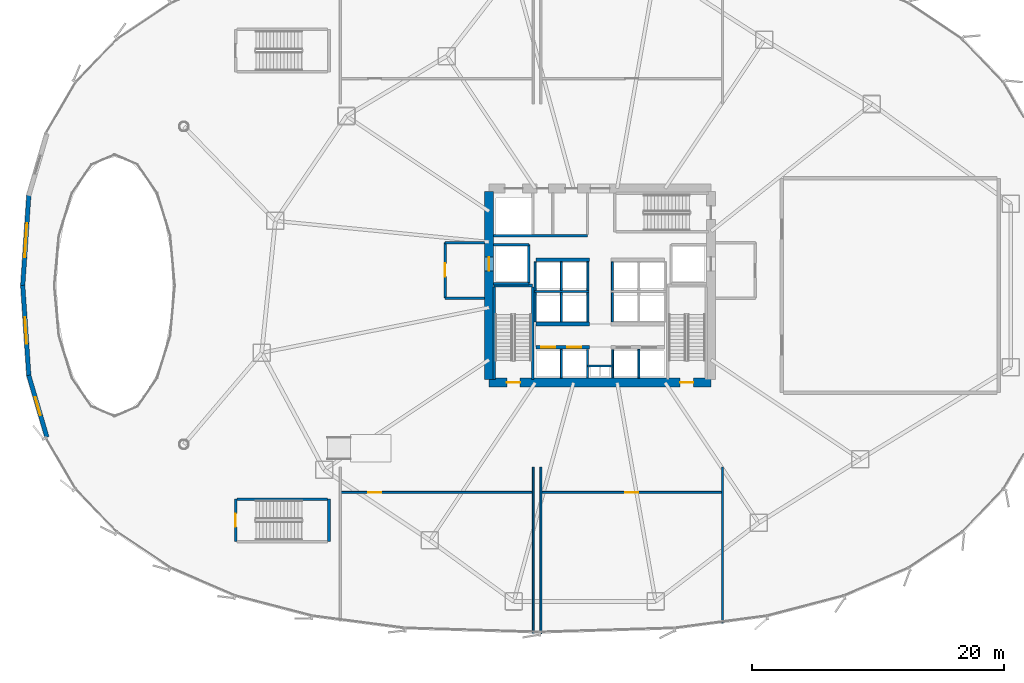
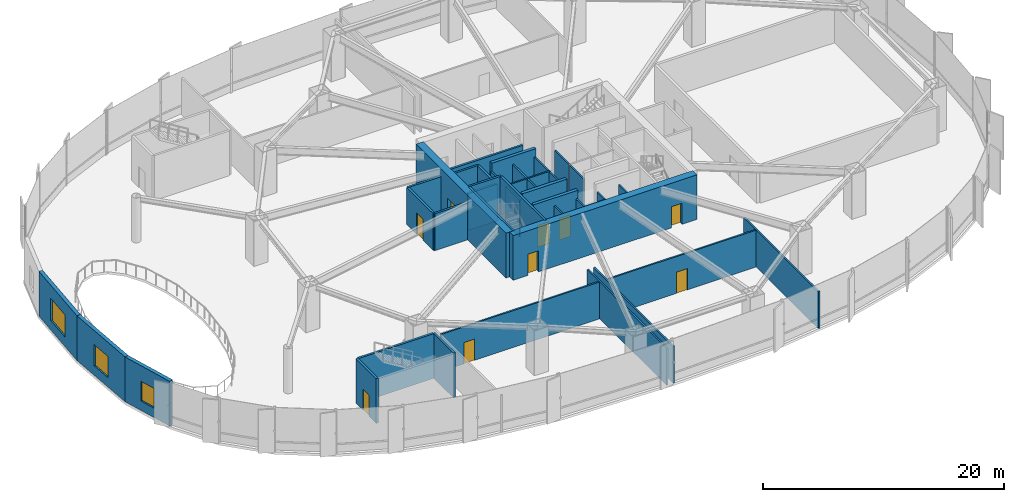
# One storey, part 23 of 33: 40 walls, 9 doors, 3 windows, 12 openings.
"""IFC4 building model written with IfcOpenShell, lengths in metres."""

from ifc_helpers import new_model, si_unit, direction, frame, frame_2d, origin, place, context, subcontext, project, spatial, rectangle, extrude, source, transform, mapped, material, layer, layer_set, type_object, element, fill, save


model = new_model("IFC4")

# Units and contexts
model_context = context("Model", 3, precision=1e-05, world=origin(), true_north=direction((0.0, 1.0)))
body_context = subcontext(model_context, "Body", "Model", "MODEL_VIEW")
ifc_project = project(units=[si_unit("LENGTHUNIT", "METRE"), si_unit("AREAUNIT", "SQUARE_METRE"), si_unit("VOLUMEUNIT", "CUBIC_METRE"), si_unit("PLANEANGLEUNIT", "RADIAN"), si_unit("MASSUNIT", "GRAM", prefix="KILO"), si_unit("THERMODYNAMICTEMPERATUREUNIT", "KELVIN")], contexts=[model_context])

# Site, building, storey
site_placement = place(None, origin())
site = spatial("IfcSite", under=ifc_project, at=site_placement, CompositionType="ELEMENT")
building_placement = place(site_placement, origin())
building = spatial("IfcBuilding", under=site, at=building_placement, Name="Kethvar Cultural Tower", CompositionType="ELEMENT")
storey_placement = place(building_placement, frame((0.0, 0.0, 10.0)))
storey = spatial("IfcBuildingStorey", under=building, at=storey_placement, Name="L02", CompositionType="ELEMENT", Elevation=10.0)

# Wall, openings, doors
ifc_material_1 = material(Name="Concrete C60/75", Category="concrete")
ifc_layer_1 = layer(ifc_material_1, 0.699951171875, Name="Concrete C60/75", Category="concrete")
ifc_layer_set_1 = layer_set([ifc_layer_1], Name="Concrete C60/75 (700 mm)")
wall_type_1 = type_object("IfcWallType", Name="WL-CORE-700", PredefinedType="SHEAR", material=ifc_layer_set_1)
wall_1_placement = place(storey_placement, frame((38.0, 20.10009765625, 0.0), z_axis=(0.0, 0.0, 1.0), x_axis=(1.0, 0.0, 0.0)))
wall_1 = element("IfcWall", 1, at=wall_1_placement, inside=storey, type_object=wall_type_1, Name="L02 Core Shear Wall S", PredefinedType="SHEAR", context=body_context, shape_type="SweptSolid", body=[
    extrude(rectangle(XDim=17.60009765625, YDim=0.699951171875, at=frame_2d((8.800048828125, 0.0))), origin(), (0.0, 0.0, 1.0), 4.530029296875),
])
opening_1_placement = place(wall_1_placement, frame((1.39990234375, 0.0, 0.0)))
opening_1 = element("IfcOpeningElement", 2, at=opening_1_placement, cuts=wall_1, Name="Opening D-L02-S1", PredefinedType="OPENING", context=body_context, shape_type="SweptSolid", body=[
    extrude(rectangle(XDim=1.050048828125, YDim=2.14990234375, at=frame_2d((0.52490234375, 1.074951171875))), frame((0.0, 0.35986328125, 0.0), z_axis=(0.0, -1.0, 0.0), x_axis=(1.0, 0.0, 0.0)), (0.0, 0.0, 1.0), 0.719970703125),
])
opening_2_placement = place(wall_1_placement, frame((15.14990234375, 0.0, 0.0)))
opening_2 = element("IfcOpeningElement", 3, at=opening_2_placement, cuts=wall_1, Name="Opening D-L02-ST2", PredefinedType="OPENING", context=body_context, shape_type="SweptSolid", body=[
    extrude(rectangle(XDim=1.050048828125, YDim=2.14990234375, at=frame_2d((0.52490234375, 1.074951171875))), frame((0.0, 0.35986328125, 0.0), z_axis=(0.0, -1.0, 0.0), x_axis=(1.0, 0.0, 0.0)), (0.0, 0.0, 1.0), 0.719970703125),
])
ifc_material_2 = material(Name="Steel S355J2", Category="steel")
door_type_1 = type_object("IfcDoorType", Name="DR-FD60-1050", OperationType="NOTDEFINED", PredefinedType="DOOR", material=ifc_material_2)
shared_shape_1 = source(origin(), body_context, "Body", "SweptSolid", [
    extrude(rectangle(XDim=1.050048828125, YDim=2.14990234375, at=frame_2d((0.52490234375, 1.074951171875))), frame((0.0, 0.02490234375, 0.0), z_axis=(0.0, -1.0, 0.0), x_axis=(1.0, 0.0, 0.0)), (0.0, 0.0, 1.0), 0.050048828125),
])
door_1_placement = place(opening_1_placement, origin())
door_1 = element("IfcDoor", 4, at=door_1_placement, inside=storey, type_object=door_type_1, Name="L02 Exit Stair 1 Door", OperationType="SINGLE_SWING_LEFT", OverallHeight=2.14990234375, OverallWidth=1.050048828125, PredefinedType="DOOR", context=body_context, shape_type="MappedRepresentation", body=[
    mapped(shared_shape_1, transform((0.0, 0.0, 0.0), scale=1.0)),
])
fill(opening_1, door_1)
door_2_placement = place(opening_2_placement, origin())
door_2 = element("IfcDoor", 5, at=door_2_placement, inside=storey, type_object=door_type_1, Name="L02 Exit Stair 2 Door", OperationType="SINGLE_SWING_RIGHT", OverallHeight=2.14990234375, OverallWidth=1.050048828125, PredefinedType="DOOR", context=body_context, shape_type="MappedRepresentation", body=[
    mapped(shared_shape_1, transform((0.0, 0.0, 0.0), scale=1.0)),
])
fill(opening_2, door_2)

# Wall, opening, door
wall_2_placement = place(storey_placement, frame((38.0, 35.260009765625, 0.0), z_axis=(0.0, 0.0, 1.0), x_axis=(0.0, -1.0, 0.0)))
wall_2 = element("IfcWall", 6, at=wall_2_placement, inside=storey, type_object=wall_type_1, Name="L02 Core Shear Wall W", PredefinedType="SHEAR", context=body_context, shape_type="SweptSolid", body=[
    extrude(rectangle(XDim=14.919921875, YDim=0.699951171875, at=frame_2d((7.4599609375, 0.0))), origin(), (0.0, 0.0, 1.0), 4.530029296875),
])
opening_3_placement = place(wall_2_placement, frame((5.2099609375, 0.0, 0.0)))
opening_3 = element("IfcOpeningElement", 7, at=opening_3_placement, cuts=wall_2, Name="Opening LD-1", PredefinedType="OPENING", context=body_context, shape_type="SweptSolid", body=[
    extrude(rectangle(XDim=1.10009765625, YDim=2.199951171875, at=frame_2d((0.550048828125, 1.10009765625))), frame((0.0, 0.35986328125, 0.0), z_axis=(0.0, -1.0, 0.0), x_axis=(1.0, 0.0, 0.0)), (0.0, 0.0, 1.0), 0.719970703125),
])
door_type_2 = type_object("IfcDoorType", Name="DR-LIFT-SLIDE-1100", OperationType="NOTDEFINED", PredefinedType="DOOR", material=ifc_material_2)
shared_shape_2 = source(origin(), body_context, "Body", "SweptSolid", [
    extrude(rectangle(XDim=1.10009765625, YDim=2.199951171875, at=frame_2d((0.550048828125, 1.10009765625))), frame((0.0, 0.02490234375, 0.0), z_axis=(0.0, -1.0, 0.0), x_axis=(1.0, 0.0, 0.0)), (0.0, 0.0, 1.0), 0.050048828125),
])
door_3_placement = place(opening_3_placement, origin())
door_3 = element("IfcDoor", 8, at=door_3_placement, inside=storey, type_object=door_type_2, Name="L02 Firefighting Lift Landing Door FFL-01", OperationType="SLIDING_TO_LEFT", OverallHeight=2.199951171875, OverallWidth=1.10009765625, PredefinedType="DOOR", context=body_context, shape_type="MappedRepresentation", body=[
    mapped(shared_shape_2, transform((0.0, 0.0, 0.0), scale=1.0)),
])
fill(opening_3, door_3)

# Wall, opening, window
ifc_material_3 = material(Name="Concrete C40/50", Category="concrete")
ifc_layer_2 = layer(ifc_material_3, 0.35009765625, Name="Concrete C40/50", Category="concrete")
ifc_layer_set_2 = layer_set([ifc_layer_2], Name="Concrete C40/50 (350 mm)")
wall_type_2 = type_object("IfcWallType", Name="WL-EXT-PORTAL-350", PredefinedType="SOLIDWALL", material=ifc_layer_set_2)
wall_3_placement = place(storey_placement, frame((1.01953125, 27.785400390625, 0.0), z_axis=(0.0, 0.0, 1.0), x_axis=(0.067018998283, 0.997751699507, 0.0)))
wall_3 = element("IfcWall", 9, at=wall_3_placement, inside=storey, type_object=wall_type_2, Name="L02 Exterior Portal Wall 18", PredefinedType="SOLIDWALL", context=body_context, shape_type="SweptSolid", body=[
    extrude(rectangle(XDim=7.194580078125, YDim=0.35009765625, at=frame_2d((3.59716796875, 0.0))), origin(), (0.0, 0.0, 1.0), 4.530029296875),
])
opening_4_placement = place(wall_3_placement, frame((2.247314453125, 0.0, 0.949951171875)))
opening_4 = element("IfcOpeningElement", 10, at=opening_4_placement, cuts=wall_3, Name="Opening W-01", PredefinedType="OPENING", context=body_context, shape_type="SweptSolid", body=[
    extrude(rectangle(XDim=2.699951171875, YDim=2.25, at=frame_2d((1.35009765625, 1.125))), frame((0.0, 0.18505859375, 0.0), z_axis=(0.0, -1.0, 0.0), x_axis=(1.0, 0.0, 0.0)), (0.0, 0.0, 1.0), 0.3701171875),
])
ifc_material_4 = material(Name="Insulated Low-E Solar Glass", Category="glass")
window_type_1 = type_object("IfcWindowType", Name="WN-POD-2700", PartitioningType="SINGLE_PANEL", PredefinedType="WINDOW", material=ifc_material_4)
shared_shape_3 = source(origin(), body_context, "Body", "SweptSolid", [
    extrude(rectangle(XDim=2.699951171875, YDim=2.25, at=frame_2d((1.35009765625, 1.125))), frame((0.0, 0.030029296875, 0.0), z_axis=(0.0, -1.0, 0.0), x_axis=(1.0, 0.0, 0.0)), (0.0, 0.0, 1.0), 0.06005859375),
])
window_1_placement = place(opening_4_placement, origin())
window_1 = element("IfcWindow", 11, at=window_1_placement, inside=storey, type_object=window_type_1, Name="L02 Podium Window C17", OverallHeight=2.25, OverallWidth=2.699951171875, PartitioningType="SINGLE_PANEL", PredefinedType="WINDOW", context=body_context, shape_type="MappedRepresentation", body=[
    mapped(shared_shape_3, transform((0.0, 0.0, 0.0), scale=1.0)),
])
fill(opening_4, window_1)

wall_4_placement = place(storey_placement, frame((1.501708984375, 20.635986328125, 0.0), z_axis=(0.0, 0.0, 1.0), x_axis=(-0.067016729273, 0.997751851914, 0.0)))
wall_4 = element("IfcWall", 12, at=wall_4_placement, inside=storey, type_object=wall_type_2, Name="L02 Exterior Portal Wall 19", PredefinedType="SOLIDWALL", context=body_context, shape_type="SweptSolid", body=[
    extrude(rectangle(XDim=7.19482421875, YDim=0.35009765625, at=frame_2d((3.597412109375, 0.0))), origin(), (0.0, 0.0, 1.0), 4.530029296875),
])
opening_5_placement = place(wall_4_placement, frame((2.54736328125, 0.0, 0.949951171875)))
opening_5 = element("IfcOpeningElement", 13, at=opening_5_placement, cuts=wall_4, Name="Opening W-02", PredefinedType="OPENING", context=body_context, shape_type="SweptSolid", body=[
    extrude(rectangle(XDim=2.10009765625, YDim=2.14990234375, at=frame_2d((1.050048828125, 1.074951171875))), frame((0.0, 0.18505859375, 0.0), z_axis=(0.0, -1.0, 0.0), x_axis=(1.0, 0.0, 0.0)), (0.0, 0.0, 1.0), 0.3701171875),
])
window_type_2 = type_object("IfcWindowType", Name="WN-POD-2100", PartitioningType="SINGLE_PANEL", PredefinedType="WINDOW", material=ifc_material_4)
shared_shape_4 = source(origin(), body_context, "Body", "SweptSolid", [
    extrude(rectangle(XDim=2.10009765625, YDim=2.14990234375, at=frame_2d((1.050048828125, 1.074951171875))), frame((0.0, 0.030029296875, 0.0), z_axis=(0.0, -1.0, 0.0), x_axis=(1.0, 0.0, 0.0)), (0.0, 0.0, 1.0), 0.06005859375),
])
window_2_placement = place(opening_5_placement, origin())
window_2 = element("IfcWindow", 14, at=window_2_placement, inside=storey, type_object=window_type_2, Name="L02 Podium Window C18", OverallHeight=2.14990234375, OverallWidth=2.10009765625, PartitioningType="SINGLE_PANEL", PredefinedType="WINDOW", context=body_context, shape_type="MappedRepresentation", body=[
    mapped(shared_shape_4, transform((0.0, 0.0, 0.0), scale=1.0)),
])
fill(opening_5, window_2)

wall_5_placement = place(storey_placement, frame((2.93603515625, 15.770263671875, 0.0), z_axis=(0.0, 0.0, 1.0), x_axis=(-0.281735210535, 0.959492194416, 0.0)))
wall_5 = element("IfcWall", 15, at=wall_5_placement, inside=storey, type_object=wall_type_2, Name="L02 Exterior Portal Wall 20", PredefinedType="SOLIDWALL", context=body_context, shape_type="SweptSolid", body=[
    extrude(rectangle(XDim=5.12060546875, YDim=0.35009765625, at=frame_2d((2.560302734375, 0.0))), origin(), (0.0, 0.0, 1.0), 4.530029296875),
])
opening_6_placement = place(wall_5_placement, frame((1.810302734375, 0.0, 0.949951171875)))
opening_6 = element("IfcOpeningElement", 16, at=opening_6_placement, cuts=wall_5, Name="Opening W-03", PredefinedType="OPENING", context=body_context, shape_type="SweptSolid", body=[
    extrude(rectangle(XDim=1.5, YDim=2.0, at=frame_2d((0.75, 1.0))), frame((0.0, 0.18505859375, 0.0), z_axis=(0.0, -1.0, 0.0), x_axis=(1.0, 0.0, 0.0)), (0.0, 0.0, 1.0), 0.3701171875),
])
window_type_3 = type_object("IfcWindowType", Name="WN-POD-1500", PartitioningType="SINGLE_PANEL", PredefinedType="WINDOW", material=ifc_material_4)
shared_shape_5 = source(origin(), body_context, "Body", "SweptSolid", [
    extrude(rectangle(XDim=1.5, YDim=2.0, at=frame_2d((0.75, 1.0))), frame((0.0, 0.030029296875, 0.0), z_axis=(0.0, -1.0, 0.0), x_axis=(1.0, 0.0, 0.0)), (0.0, 0.0, 1.0), 0.06005859375),
])
window_3_placement = place(opening_6_placement, origin())
window_3 = element("IfcWindow", 17, at=window_3_placement, inside=storey, type_object=window_type_3, Name="L02 Podium Window C19", OverallHeight=2.0, OverallWidth=1.5, PartitioningType="SINGLE_PANEL", PredefinedType="WINDOW", context=body_context, shape_type="MappedRepresentation", body=[
    mapped(shared_shape_5, transform((0.0, 0.0, 0.0), scale=1.0)),
])
fill(opening_6, window_3)

# Walls
ifc_material_5 = material(Name="Gypsum Fireboard Partition")
ifc_layer_3 = layer(ifc_material_5, 0.14990234375, Name="Gypsum Fireboard Partition")
ifc_layer_set_3 = layer_set([ifc_layer_3], Name="Gypsum Fireboard Partition (150 mm)")
wall_type_3 = type_object("IfcWallType", Name="WL-FIRE-150", PredefinedType="PARTITIONING", material=ifc_layer_set_3)
wall_6_placement = place(storey_placement, frame((45.800048828125, 21.419921875, 0.0), z_axis=(0.0, 0.0, 1.0), x_axis=(1.0, 0.0, 0.0)))
element("IfcWall", 18, at=wall_6_placement, inside=storey, type_object=wall_type_3, Name="L02 Core Riser Wall", PredefinedType="PARTITIONING", context=body_context, shape_type="SweptSolid", body=[
    extrude(rectangle(XDim=2.0, YDim=0.14990234375, at=frame_2d((1.0, 0.0))), origin(), (0.0, 0.0, 1.0), 3.742919921875),
])
for number, where, z_axis, x_axis, name in (
    (19, (45.800048828125, 20.47998046875, 0.0), (0.0, 0.0, 1.0), (0.0, 1.0, 0.0), "L02 Core Riser West Wall"),
    (20, (47.800048828125, 20.47998046875, 0.0), (0.0, 0.0, 1.0), (0.0, 1.0, 0.0), "L02 Core Riser East Wall"),
):
    element("IfcWall", number, at=place(storey_placement, frame(where, z_axis=z_axis, x_axis=x_axis)), inside=storey, type_object=wall_type_3, Name=name, PredefinedType="PARTITIONING", context=body_context, shape_type="SweptSolid", body=[
        extrude(rectangle(XDim=2.239990234375, YDim=0.14990234375, at=frame_2d((1.1201171875, 0.0))), origin(), (0.0, 0.0, 1.0), 3.742919921875),
    ])
for number, where, z_axis, x_axis, name in (
    (21, (43.72509765625, 20.4599609375, 0.0), (0.0, 0.0, 1.0), (0.0, 1.0, 0.0), "L02 Low-Rise Lift Shaft Divider W"),
    (22, (49.875, 20.4599609375, 0.0), (0.0, 0.0, 1.0), (0.0, 1.0, 0.0), "L02 Low-Rise Lift Shaft Divider E"),
):
    element("IfcWall", number, at=place(storey_placement, frame(where, z_axis=z_axis, x_axis=x_axis)), inside=storey, type_object=wall_type_3, Name=name, PredefinedType="PARTITIONING", context=body_context, shape_type="SweptSolid", body=[
        extrude(rectangle(XDim=2.27001953125, YDim=0.14990234375, at=frame_2d((1.135009765625, 0.0))), origin(), (0.0, 0.0, 1.0), 3.742919921875),
    ])
wall_7_placement = place(storey_placement, frame((41.580078125, 27.324951171875, 0.0), z_axis=(0.0, 0.0, 1.0), x_axis=(1.0, 0.0, 0.0)))
element("IfcWall", 23, at=wall_7_placement, inside=storey, type_object=wall_type_3, Name="L02 Mid-High Lift Shaft Back Wall W", PredefinedType="PARTITIONING", context=body_context, shape_type="SweptSolid", body=[
    extrude(rectangle(XDim=4.31982421875, YDim=0.14990234375, at=frame_2d((2.159912109375, 0.0))), origin(), (0.0, 0.0, 1.0), 3.742919921875),
])
for number, where, z_axis, x_axis, name in (
    (24, (41.64990234375, 24.919921875, 0.0), (0.0, 0.0, 1.0), (0.0, 1.0, 0.0), "L02 Mid-Rise Lift Shaft Outer Wall W"),
    (25, (43.72509765625, 24.919921875, 0.0), (0.0, 0.0, 1.0), (0.0, 1.0, 0.0), "L02 Mid-Rise Lift Shaft Divider W"),
    (26, (45.824951171875, 24.919921875, 0.0), (0.0, 0.0, 1.0), (0.0, 1.0, 0.0), "L02 Mid-Rise Lift Shaft Concourse Wall W"),
    (27, (47.77490234375, 24.919921875, 0.0), (0.0, 0.0, 1.0), (0.0, 1.0, 0.0), "L02 Mid-Rise Lift Shaft Concourse Wall E"),
):
    element("IfcWall", number, at=place(storey_placement, frame(where, z_axis=z_axis, x_axis=x_axis)), inside=storey, type_object=wall_type_3, Name=name, PredefinedType="PARTITIONING", context=body_context, shape_type="SweptSolid", body=[
        extrude(rectangle(XDim=2.320068359375, YDim=0.14990234375, at=frame_2d((1.16015625, 0.0))), origin(), (0.0, 0.0, 1.0), 3.742919921875),
    ])
for number, where, z_axis, x_axis, name in (
    (28, (41.64990234375, 27.409912109375, 0.0), (0.0, 0.0, 1.0), (0.0, 1.0, 0.0), "L02 High-Rise Lift Shaft Outer Wall W"),
    (29, (43.72509765625, 27.409912109375, 0.0), (0.0, 0.0, 1.0), (0.0, 1.0, 0.0), "L02 High-Rise Lift Shaft Divider W"),
    (30, (45.824951171875, 27.409912109375, 0.0), (0.0, 0.0, 1.0), (0.0, 1.0, 0.0), "L02 High-Rise Lift Shaft Concourse Wall W"),
    (31, (47.77490234375, 27.409912109375, 0.0), (0.0, 0.0, 1.0), (0.0, 1.0, 0.0), "L02 High-Rise Lift Shaft Concourse Wall E"),
):
    element("IfcWall", number, at=place(storey_placement, frame(where, z_axis=z_axis, x_axis=x_axis)), inside=storey, type_object=wall_type_3, Name=name, PredefinedType="PARTITIONING", context=body_context, shape_type="SweptSolid", body=[
        extrude(rectangle(XDim=2.27001953125, YDim=0.14990234375, at=frame_2d((1.135009765625, 0.0))), origin(), (0.0, 0.0, 1.0), 3.742919921875),
    ])

# Wall, opening, door
wall_8_placement = place(storey_placement, frame((26.199951171875, 11.39990234375, 0.0), z_axis=(0.0, 0.0, 1.0), x_axis=(1.0, 0.0, 0.0)))
wall_8 = element("IfcWall", 32, at=wall_8_placement, inside=storey, type_object=wall_type_3, Name="L02 South Permanent Gallery Wall", PredefinedType="PARTITIONING", context=body_context, shape_type="SweptSolid", body=[
    extrude(rectangle(XDim=15.300048828125, YDim=0.14990234375, at=frame_2d((7.64990234375, 0.0))), origin(), (0.0, 0.0, 1.0), 3.742919921875),
])
opening_7_placement = place(wall_8_placement, frame((2.199951171875, 0.0, 0.0)))
opening_7 = element("IfcOpeningElement", 33, at=opening_7_placement, cuts=wall_8, Name="Opening D-L02-P1", PredefinedType="OPENING", context=body_context, shape_type="SweptSolid", body=[
    extrude(rectangle(XDim=1.050048828125, YDim=2.14990234375, at=frame_2d((0.52490234375, 1.074951171875))), frame((0.0, 0.0849609375, 0.0), z_axis=(0.0, -1.0, 0.0), x_axis=(1.0, 0.0, 0.0)), (0.0, 0.0, 1.0), 0.169921875),
])
door_4_placement = place(opening_7_placement, origin())
door_4 = element("IfcDoor", 34, at=door_4_placement, inside=storey, type_object=door_type_1, Name="L02 South Permanent Gallery Door", OperationType="SINGLE_SWING_LEFT", OverallHeight=2.14990234375, OverallWidth=1.050048828125, PredefinedType="DOOR", context=body_context, shape_type="MappedRepresentation", body=[
    mapped(shared_shape_1, transform((0.0, 0.0, 0.0), scale=1.0)),
])
fill(opening_7, door_4)

wall_9_placement = place(storey_placement, frame((42.10009765625, 11.39990234375, 0.0), z_axis=(0.0, 0.0, 1.0), x_axis=(1.0, 0.0, 0.0)))
wall_9 = element("IfcWall", 35, at=wall_9_placement, inside=storey, type_object=wall_type_3, Name="L02 Curatorial Seminar Room Wall", PredefinedType="PARTITIONING", context=body_context, shape_type="SweptSolid", body=[
    extrude(rectangle(XDim=14.39990234375, YDim=0.14990234375, at=frame_2d((7.199951171875, 0.0))), origin(), (0.0, 0.0, 1.0), 3.742919921875),
])
opening_8_placement = place(wall_9_placement, frame((6.675048828125, 0.0, 0.0)))
opening_8 = element("IfcOpeningElement", 36, at=opening_8_placement, cuts=wall_9, Name="Opening D-L02-P2", PredefinedType="OPENING", context=body_context, shape_type="SweptSolid", body=[
    extrude(rectangle(XDim=1.050048828125, YDim=2.14990234375, at=frame_2d((0.52490234375, 1.074951171875))), frame((0.0, 0.0849609375, 0.0), z_axis=(0.0, -1.0, 0.0), x_axis=(1.0, 0.0, 0.0)), (0.0, 0.0, 1.0), 0.169921875),
])
door_5_placement = place(opening_8_placement, origin())
door_5 = element("IfcDoor", 37, at=door_5_placement, inside=storey, type_object=door_type_1, Name="L02 Curatorial Seminar Room Door", OperationType="SINGLE_SWING_LEFT", OverallHeight=2.14990234375, OverallWidth=1.050048828125, PredefinedType="DOOR", context=body_context, shape_type="MappedRepresentation", body=[
    mapped(shared_shape_1, transform((0.0, 0.0, 0.0), scale=1.0)),
])
fill(opening_8, door_5)

# Walls
ifc_layer_4 = layer(ifc_material_3, 0.199951171875, Name="Concrete C40/50", Category="concrete")
ifc_layer_set_4 = layer_set([ifc_layer_4], Name="Concrete C40/50 (200 mm)")
wall_type_4 = type_object("IfcWallType", Name="WL-FIRE-200", PredefinedType="PARTITIONING", material=ifc_layer_set_4)
wall_10_placement = place(storey_placement, frame((41.14990234375, 27.949951171875, 0.0), z_axis=(0.0, 0.0, 1.0), x_axis=(0.0, 1.0, 0.0)))
element("IfcWall", 38, at=wall_10_placement, inside=storey, type_object=wall_type_4, Name="L02 FFL-01 Shaft Inner Wall", PredefinedType="PARTITIONING", context=body_context, shape_type="SweptSolid", body=[
    extrude(rectangle(XDim=3.10009765625, YDim=0.199951171875, at=frame_2d((1.550048828125, 0.0))), origin(), (0.0, 0.0, 1.0), 3.742919921875),
])
for number, where, z_axis, x_axis, name in (
    (39, (38.360107421875, 27.949951171875, 0.0), (0.0, 0.0, 1.0), (1.0, 0.0, 0.0), "L02 FFL-01 Shaft South Wall"),
    (40, (38.360107421875, 31.050048828125, 0.0), (0.0, 0.0, 1.0), (1.0, 0.0, 0.0), "L02 FFL-01 Shaft North Wall"),
):
    element("IfcWall", number, at=place(storey_placement, frame(where, z_axis=z_axis, x_axis=x_axis)), inside=storey, type_object=wall_type_4, Name=name, PredefinedType="PARTITIONING", context=body_context, shape_type="SweptSolid", body=[
        extrude(rectangle(XDim=2.789794921875, YDim=0.199951171875, at=frame_2d((1.39501953125, 0.0))), origin(), (0.0, 0.0, 1.0), 3.742919921875),
    ])

# Wall, opening, door
wall_11_placement = place(storey_placement, frame((34.5, 31.199951171875, 0.0), z_axis=(0.0, 0.0, 1.0), x_axis=(0.0, -1.0, 0.0)))
wall_11 = element("IfcWall", 41, at=wall_11_placement, inside=storey, type_object=wall_type_4, Name="L02 Firefighting Lobby 1 Wall", PredefinedType="PARTITIONING", context=body_context, shape_type="SweptSolid", body=[
    extrude(rectangle(XDim=4.39990234375, YDim=0.199951171875, at=frame_2d((2.199951171875, 0.0))), origin(), (0.0, 0.0, 1.0), 3.742919921875),
])
opening_9_placement = place(wall_11_placement, frame((1.64990234375, 0.0, 0.0)))
opening_9 = element("IfcOpeningElement", 42, at=opening_9_placement, cuts=wall_11, Name="Opening D-L02-F1", PredefinedType="OPENING", context=body_context, shape_type="SweptSolid", body=[
    extrude(rectangle(XDim=1.050048828125, YDim=2.14990234375, at=frame_2d((0.52490234375, 1.074951171875))), frame((0.0, 0.10986328125, 0.0), z_axis=(0.0, -1.0, 0.0), x_axis=(1.0, 0.0, 0.0)), (0.0, 0.0, 1.0), 0.219970703125),
])
door_6_placement = place(opening_9_placement, origin())
door_6 = element("IfcDoor", 43, at=door_6_placement, inside=storey, type_object=door_type_1, Name="L02 Firefighting Lobby 1 Fire Door", OperationType="SINGLE_SWING_LEFT", OverallHeight=2.14990234375, OverallWidth=1.050048828125, PredefinedType="DOOR", context=body_context, shape_type="MappedRepresentation", body=[
    mapped(shared_shape_1, transform((0.0, 0.0, 0.0), scale=1.0)),
])
fill(opening_9, door_6)

# Walls
for number, where, z_axis, x_axis, name in (
    (44, (34.5, 26.800048828125, 0.0), (0.0, 0.0, 1.0), (1.0, 0.0, 0.0), "L02 FF Lobby 1 South Wall"),
    (45, (34.5, 31.199951171875, 0.0), (0.0, 0.0, 1.0), (1.0, 0.0, 0.0), "L02 FF Lobby 1 North Wall"),
):
    element("IfcWall", number, at=place(storey_placement, frame(where, z_axis=z_axis, x_axis=x_axis)), inside=storey, type_object=wall_type_4, Name=name, PredefinedType="PARTITIONING", context=body_context, shape_type="SweptSolid", body=[
        extrude(rectangle(XDim=3.139892578125, YDim=0.199951171875, at=frame_2d((1.56982421875, 0.0))), origin(), (0.0, 0.0, 1.0), 3.742919921875),
    ])
wall_12_placement = place(storey_placement, frame((38.360107421875, 31.72998046875, 0.0), z_axis=(0.0, 0.0, 1.0), x_axis=(1.0, 0.0, 0.0)))
element("IfcWall", 46, at=wall_12_placement, inside=storey, type_object=wall_type_4, Name="L02 North Core Sanitary South Wall", PredefinedType="PARTITIONING", context=body_context, shape_type="SweptSolid", body=[
    extrude(rectangle(XDim=7.43994140625, YDim=0.199951171875, at=frame_2d((3.719970703125, 0.0))), origin(), (0.0, 0.0, 1.0), 3.742919921875),
])
ifc_material_6 = material(Name="Gypsum Acoustic Partition")
ifc_layer_5 = layer(ifc_material_6, 0.14990234375, Name="Gypsum Acoustic Partition")
ifc_layer_set_5 = layer_set([ifc_layer_5], Name="Gypsum Acoustic Partition (150 mm)")
wall_type_5 = type_object("IfcWallType", Name="WL-PART-150", PredefinedType="PARTITIONING", material=ifc_layer_set_5)
wall_13_placement = place(storey_placement, frame((41.5, 0.215087890625, 0.0), z_axis=(0.0, 0.0, 1.0), x_axis=(0.0, 1.0, 0.0)))
element("IfcWall", 47, at=wall_13_placement, inside=storey, type_object=wall_type_5, Name="L02 South Permanent Gallery Side Wall R", PredefinedType="PARTITIONING", context=body_context, shape_type="SweptSolid", body=[
    extrude(rectangle(XDim=13.184814453125, YDim=0.14990234375, at=frame_2d((6.59228515625, 0.0))), origin(), (0.0, 0.0, 1.0), 3.742919921875),
])
wall_14_placement = place(storey_placement, frame((42.10009765625, 0.202880859375, 0.0), z_axis=(0.0, 0.0, 1.0), x_axis=(0.0, 1.0, 0.0)))
element("IfcWall", 48, at=wall_14_placement, inside=storey, type_object=wall_type_5, Name="L02 Curatorial Seminar Room Side Wall L", PredefinedType="PARTITIONING", context=body_context, shape_type="SweptSolid", body=[
    extrude(rectangle(XDim=13.197021484375, YDim=0.14990234375, at=frame_2d((6.5986328125, 0.0))), origin(), (0.0, 0.0, 1.0), 3.742919921875),
])
wall_15_placement = place(storey_placement, frame((56.5, 1.021728515625, 0.0), z_axis=(0.0, 0.0, 1.0), x_axis=(0.0, 1.0, 0.0)))
element("IfcWall", 49, at=wall_15_placement, inside=storey, type_object=wall_type_5, Name="L02 Curatorial Seminar Room Side Wall R", PredefinedType="PARTITIONING", context=body_context, shape_type="SweptSolid", body=[
    extrude(rectangle(XDim=12.378173828125, YDim=0.14990234375, at=frame_2d((6.18896484375, 0.0))), origin(), (0.0, 0.0, 1.0), 3.742919921875),
])

# Wall, openings, doors
ifc_material_7 = material(Name="Concrete C50/60", Category="concrete")
ifc_layer_6 = layer(ifc_material_7, 0.300048828125, Name="Concrete C50/60", Category="concrete")
ifc_layer_set_6 = layer_set([ifc_layer_6], Name="Concrete C50/60 (300 mm)")
wall_type_6 = type_object("IfcWallType", Name="WL-SHAFT-300", PredefinedType="SHEAR", material=ifc_layer_set_6)
wall_16_placement = place(storey_placement, frame((41.699951171875, 22.89990234375, 0.0), z_axis=(0.0, 0.0, 1.0), x_axis=(1.0, 0.0, 0.0)))
wall_16 = element("IfcWall", 50, at=wall_16_placement, inside=storey, type_object=wall_type_6, Name="L02 Core Lift Spine Wall MID1W", PredefinedType="SHEAR", context=body_context, shape_type="SweptSolid", body=[
    extrude(rectangle(XDim=4.25, YDim=0.300048828125, at=frame_2d((2.125, 0.0))), origin(), (0.0, 0.0, 1.0), 4.530029296875),
])
opening_10_placement = place(wall_16_placement, frame((0.449951171875, 0.0, 0.0)))
opening_10 = element("IfcOpeningElement", 51, at=opening_10_placement, cuts=wall_16, Name="Opening LD-L1", PredefinedType="OPENING", context=body_context, shape_type="SweptSolid", body=[
    extrude(rectangle(XDim=1.10009765625, YDim=2.199951171875, at=frame_2d((0.550048828125, 1.10009765625))), frame((0.0, 0.159912109375, 0.0), z_axis=(0.0, -1.0, 0.0), x_axis=(1.0, 0.0, 0.0)), (0.0, 0.0, 1.0), 0.320068359375),
])
opening_11_placement = place(wall_16_placement, frame((2.5, 0.0, 0.0)))
opening_11 = element("IfcOpeningElement", 52, at=opening_11_placement, cuts=wall_16, Name="Opening LD-L2", PredefinedType="OPENING", context=body_context, shape_type="SweptSolid", body=[
    extrude(rectangle(XDim=1.10009765625, YDim=2.199951171875, at=frame_2d((0.550048828125, 1.10009765625))), frame((0.0, 0.159912109375, 0.0), z_axis=(0.0, -1.0, 0.0), x_axis=(1.0, 0.0, 0.0)), (0.0, 0.0, 1.0), 0.320068359375),
])
door_7_placement = place(opening_10_placement, origin())
door_7 = element("IfcDoor", 53, at=door_7_placement, inside=storey, type_object=door_type_2, Name="L02 Low-Rise Lift Landing Door L1", OperationType="SLIDING_TO_LEFT", OverallHeight=2.199951171875, OverallWidth=1.10009765625, PredefinedType="DOOR", context=body_context, shape_type="MappedRepresentation", body=[
    mapped(shared_shape_2, transform((0.0, 0.0, 0.0), scale=1.0)),
])
fill(opening_10, door_7)
door_8_placement = place(opening_11_placement, origin())
door_8 = element("IfcDoor", 54, at=door_8_placement, inside=storey, type_object=door_type_2, Name="L02 Low-Rise Lift Landing Door L2", OperationType="SLIDING_TO_LEFT", OverallHeight=2.199951171875, OverallWidth=1.10009765625, PredefinedType="DOOR", context=body_context, shape_type="MappedRepresentation", body=[
    mapped(shared_shape_2, transform((0.0, 0.0, 0.0), scale=1.0)),
])
fill(opening_11, door_8)

# Walls
for number, where, z_axis, x_axis, name in (
    (55, (41.699951171875, 24.75, 0.0), (0.0, 0.0, 1.0), (1.0, 0.0, 0.0), "L02 Core Lift Spine Wall MID2W"),
    (56, (41.699951171875, 29.85009765625, 0.0), (0.0, 0.0, 1.0), (1.0, 0.0, 0.0), "L02 Core Lift Spine Wall MID3W"),
):
    element("IfcWall", number, at=place(storey_placement, frame(where, z_axis=z_axis, x_axis=x_axis)), inside=storey, type_object=wall_type_6, Name=name, PredefinedType="SHEAR", context=body_context, shape_type="SweptSolid", body=[
        extrude(rectangle(XDim=4.25, YDim=0.300048828125, at=frame_2d((2.125, 0.0))), origin(), (0.0, 0.0, 1.0), 4.530029296875),
    ])
ifc_layer_7 = layer(ifc_material_7, 0.199951171875, Name="Concrete C50/60", Category="concrete")
ifc_layer_set_7 = layer_set([ifc_layer_7], Name="Concrete C50/60 (200 mm)")
wall_type_7 = type_object("IfcWallType", Name="WL-STSHAFT-200", PredefinedType="SHEAR", material=ifc_layer_set_7)
wall_17_placement = place(storey_placement, frame((38.389892578125, 27.800048828125, 0.0), z_axis=(0.0, 0.0, 1.0), x_axis=(1.0, 0.0, 0.0)))
element("IfcWall", 57, at=wall_17_placement, inside=storey, type_object=wall_type_7, Name="L02 ST-01 Stair Shaft Wall FAR", PredefinedType="SHEAR", context=body_context, shape_type="SweptSolid", body=[
    extrude(rectangle(XDim=3.06005859375, YDim=0.199951171875, at=frame_2d((1.530029296875, 0.0))), origin(), (0.0, 0.0, 1.0), 4.530029296875),
])
for number, where, z_axis, x_axis, name in (
    (58, (41.449951171875, 27.699951171875, 0.0), (0.0, 0.0, 1.0), (0.0, -1.0, 0.0), "L02 ST-01 Stair Shaft Wall LEFT"),
    (59, (38.389892578125, 20.35009765625, 0.0), (0.0, 0.0, 1.0), (0.0, 1.0, 0.0), "L02 ST-01 Stair Shaft Wall RIGHT"),
):
    element("IfcWall", number, at=place(storey_placement, frame(where, z_axis=z_axis, x_axis=x_axis)), inside=storey, type_object=wall_type_7, Name=name, PredefinedType="SHEAR", context=body_context, shape_type="SweptSolid", body=[
        extrude(rectangle(XDim=7.349853515625, YDim=0.199951171875, at=frame_2d((3.6748046875, 0.0))), origin(), (0.0, 0.0, 1.0), 4.530029296875),
    ])

# Wall, opening, door
wall_18_placement = place(storey_placement, frame((17.89990234375, 7.5, 0.0), z_axis=(0.0, 0.0, 1.0), x_axis=(0.0, 1.0, 0.0)))
wall_18 = element("IfcWall", 60, at=wall_18_placement, inside=storey, type_object=wall_type_7, Name="L02 ST-04 Stair Shaft Wall NEAR", PredefinedType="SHEAR", context=body_context, shape_type="SweptSolid", body=[
    extrude(rectangle(XDim=3.360107421875, YDim=0.199951171875, at=frame_2d((1.68017578125, 0.0))), origin(), (0.0, 0.0, 1.0), 4.530029296875),
])
opening_12_placement = place(wall_18_placement, frame((1.155029296875, 0.0, 0.0)))
opening_12 = element("IfcOpeningElement", 61, at=opening_12_placement, cuts=wall_18, Name="Opening D-L02-ST4", PredefinedType="OPENING", context=body_context, shape_type="SweptSolid", body=[
    extrude(rectangle(XDim=1.050048828125, YDim=2.14990234375, at=frame_2d((0.52490234375, 1.074951171875))), frame((0.0, 0.10986328125, 0.0), z_axis=(0.0, -1.0, 0.0), x_axis=(1.0, 0.0, 0.0)), (0.0, 0.0, 1.0), 0.219970703125),
])
door_9_placement = place(opening_12_placement, origin())
door_9 = element("IfcDoor", 62, at=door_9_placement, inside=storey, type_object=door_type_1, Name="L02 ST-04 Stair Landing Fire Door", OperationType="SINGLE_SWING_LEFT", OverallHeight=2.14990234375, OverallWidth=1.050048828125, PredefinedType="DOOR", context=body_context, shape_type="MappedRepresentation", body=[
    mapped(shared_shape_1, transform((0.0, 0.0, 0.0), scale=1.0)),
])
fill(opening_12, door_9)

# Walls
wall_19_placement = place(storey_placement, frame((25.300048828125, 10.860107421875, 0.0), z_axis=(0.0, 0.0, 1.0), x_axis=(0.0, -1.0, 0.0)))
element("IfcWall", 63, at=wall_19_placement, inside=storey, type_object=wall_type_7, Name="L02 ST-04 Stair Shaft Wall FAR", PredefinedType="SHEAR", context=body_context, shape_type="SweptSolid", body=[
    extrude(rectangle(XDim=3.360107421875, YDim=0.199951171875, at=frame_2d((1.68017578125, 0.0))), origin(), (0.0, 0.0, 1.0), 4.530029296875),
])
wall_20_placement = place(storey_placement, frame((18.0, 10.860107421875, 0.0), z_axis=(0.0, 0.0, 1.0), x_axis=(1.0, 0.0, 0.0)))
element("IfcWall", 64, at=wall_20_placement, inside=storey, type_object=wall_type_7, Name="L02 ST-04 Stair Shaft Wall RIGHT", PredefinedType="SHEAR", context=body_context, shape_type="SweptSolid", body=[
    extrude(rectangle(XDim=7.199951171875, YDim=0.199951171875, at=frame_2d((3.60009765625, 0.0))), origin(), (0.0, 0.0, 1.0), 4.530029296875),
])

save(model, "model.ifc")
